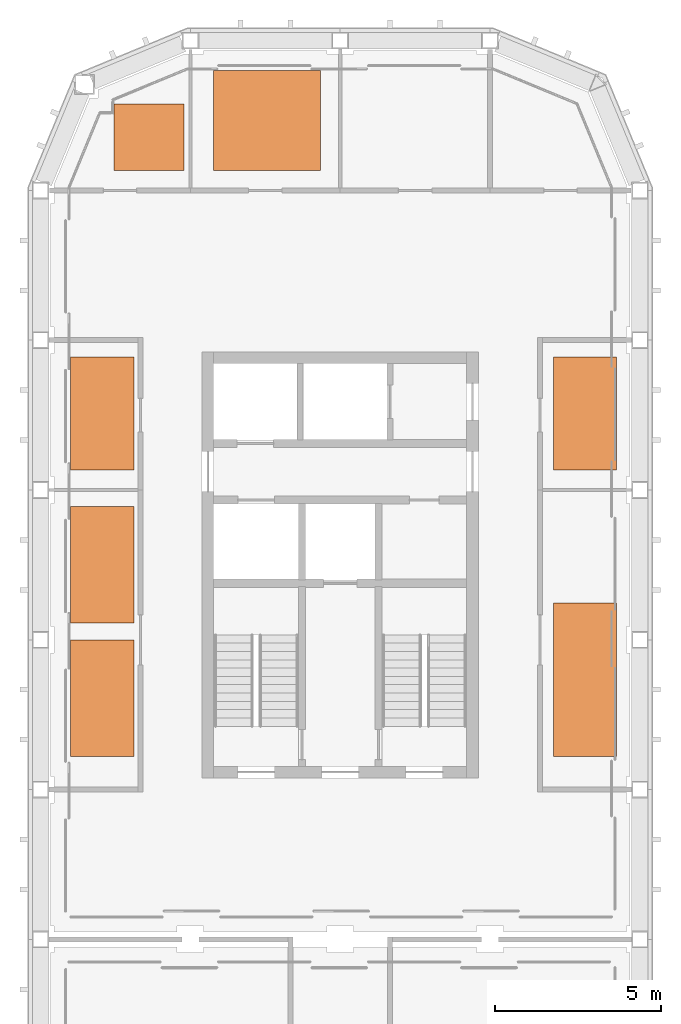
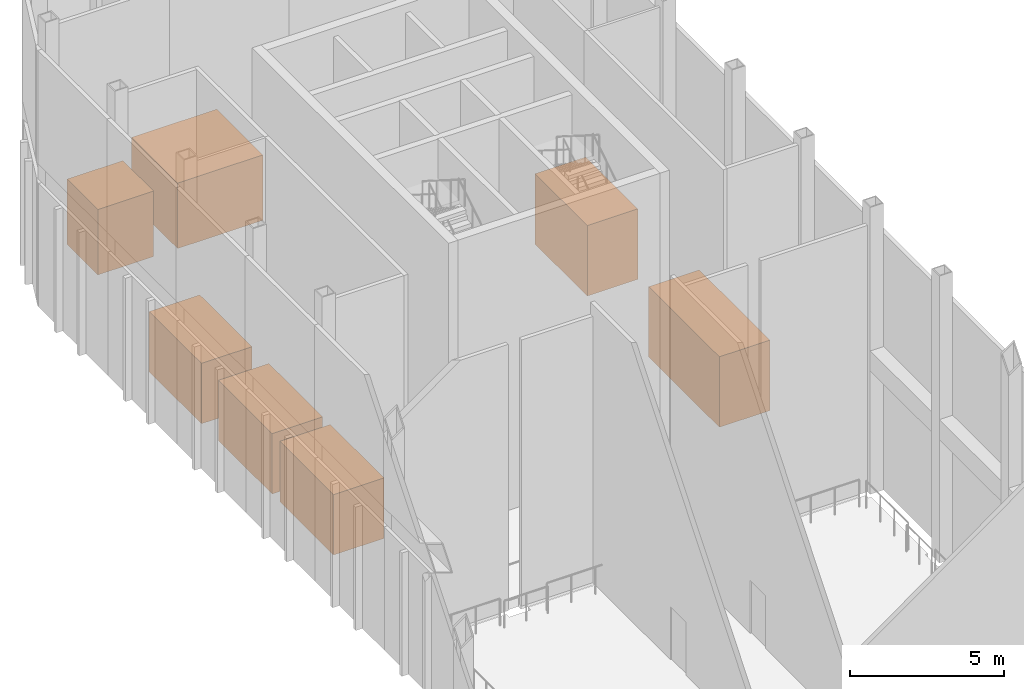
# One storey, part 8 of 8: 7 proxies.
"""IFC4 building model written with IfcOpenShell, lengths in metres."""

from ifc_helpers import new_model, si_unit, direction, frame, origin, origin_2d, place, context, subcontext, project, spatial, rectangle, extrude, material, type_object, element, save


model = new_model("IFC4")

# Units and contexts
model_context = context("Model", 3, precision=1e-05, world=origin(), true_north=direction((0.0, 1.0)))
body_context = subcontext(model_context, "Body", "Model", "MODEL_VIEW")
ifc_project = project(units=[si_unit("LENGTHUNIT", "METRE"), si_unit("AREAUNIT", "SQUARE_METRE"), si_unit("VOLUMEUNIT", "CUBIC_METRE"), si_unit("PLANEANGLEUNIT", "RADIAN"), si_unit("MASSUNIT", "GRAM", prefix="KILO")], contexts=[model_context])

# Site, building, storey
site_placement = place(None, origin())
site = spatial("IfcSite", under=ifc_project, at=site_placement, CompositionType="ELEMENT")
building_placement = place(site_placement, origin())
building = spatial("IfcBuilding", under=site, at=building_placement, Name="Girih Gate Residences", CompositionType="ELEMENT")
storey_placement = place(building_placement, frame((0.0, 0.0, 235.695068359375)))
storey = spatial("IfcBuildingStorey", under=building, at=storey_placement, Name="L66", CompositionType="ELEMENT", Elevation=235.695068359375)

# Proxies
ifc_material = material(Name="Painted steel plant casing", Category="steel")
building_element_proxy_type_1 = type_object("IfcBuildingElementProxyType", Name="Air handling unit 1900x3400x2400", PredefinedType="USERDEFINED", material=ifc_material)
proxy_1_placement = place(storey_placement, frame((1.85009765625, 38.300048828125, 0.0), z_axis=(0.0, 0.0, 1.0), x_axis=(1.0, 0.0, 0.0)))
element("IfcBuildingElementProxy", 1, at=proxy_1_placement, inside=storey, type_object=building_element_proxy_type_1, Name="Air handling unit AH3", ObjectType="AIR HANDLING UNIT", PredefinedType="USERDEFINED", context=body_context, shape_type="SweptSolid", body=[
    extrude(rectangle(XDim=1.89990234375, YDim=3.39990234375, at=origin_2d()), origin(), (0.0, 0.0, 1.0), 2.39990234375),
])
building_element_proxy_type_2 = type_object("IfcBuildingElementProxyType", Name="Air handling unit 1900x3500x2400", PredefinedType="USERDEFINED", material=ifc_material)
for number, where, z_axis, x_axis, name in (
    (2, (1.85009765625, 29.75, 0.0), (0.0, 0.0, 1.0), (1.0, 0.0, 0.0), "Air handling unit AH1"),
    (3, (1.85009765625, 33.75, 0.0), (0.0, 0.0, 1.0), (1.0, 0.0, 0.0), "Air handling unit AH2"),
):
    element("IfcBuildingElementProxy", number, at=place(storey_placement, frame(where, z_axis=z_axis, x_axis=x_axis)), inside=storey, type_object=building_element_proxy_type_2, Name=name, ObjectType="AIR HANDLING UNIT", PredefinedType="USERDEFINED", context=body_context, shape_type="SweptSolid", body=[
        extrude(rectangle(XDim=1.89990234375, YDim=3.5, at=origin_2d()), origin(), (0.0, 0.0, 1.0), 2.39990234375),
    ])
building_element_proxy_type_3 = type_object("IfcBuildingElementProxyType", Name="Chiller 2100x2000x2600", PredefinedType="USERDEFINED", material=ifc_material)
proxy_2_placement = place(storey_placement, frame((3.25, 46.60009765625, 0.0), z_axis=(0.0, 0.0, 1.0), x_axis=(1.0, 0.0, 0.0)))
element("IfcBuildingElementProxy", 4, at=proxy_2_placement, inside=storey, type_object=building_element_proxy_type_3, Name="Chiller CH1", ObjectType="CHILLER", PredefinedType="USERDEFINED", context=body_context, shape_type="SweptSolid", body=[
    extrude(rectangle(XDim=2.10009765625, YDim=2.0, at=origin_2d()), origin(), (0.0, 0.0, 1.0), 2.60009765625),
])
building_element_proxy_type_4 = type_object("IfcBuildingElementProxyType", Name="Chiller 3200x3000x2600", PredefinedType="USERDEFINED", material=ifc_material)
proxy_3_placement = place(storey_placement, frame((6.800048828125, 47.10009765625, 0.0), z_axis=(0.0, 0.0, 1.0), x_axis=(1.0, 0.0, 0.0)))
element("IfcBuildingElementProxy", 5, at=proxy_3_placement, inside=storey, type_object=building_element_proxy_type_4, Name="Chiller CH2", ObjectType="CHILLER", PredefinedType="USERDEFINED", context=body_context, shape_type="SweptSolid", body=[
    extrude(rectangle(XDim=3.199951171875, YDim=3.0, at=origin_2d()), origin(), (0.0, 0.0, 1.0), 2.60009765625),
])
building_element_proxy_type_5 = type_object("IfcBuildingElementProxyType", Name="Water tank 1900x3400x2800", PredefinedType="USERDEFINED", material=ifc_material)
proxy_4_placement = place(storey_placement, frame((16.35009765625, 38.300048828125, 0.0), z_axis=(0.0, 0.0, 1.0), x_axis=(1.0, 0.0, 0.0)))
element("IfcBuildingElementProxy", 6, at=proxy_4_placement, inside=storey, type_object=building_element_proxy_type_5, Name="Water tank TK2", ObjectType="WATER TANK", PredefinedType="USERDEFINED", context=body_context, shape_type="SweptSolid", body=[
    extrude(rectangle(XDim=1.89990234375, YDim=3.39990234375, at=origin_2d()), origin(), (0.0, 0.0, 1.0), 2.800048828125),
])
building_element_proxy_type_6 = type_object("IfcBuildingElementProxyType", Name="Water tank 1900x4600x2800", PredefinedType="USERDEFINED", material=ifc_material)
proxy_5_placement = place(storey_placement, frame((16.35009765625, 30.300048828125, 0.0), z_axis=(0.0, 0.0, 1.0), x_axis=(1.0, 0.0, 0.0)))
element("IfcBuildingElementProxy", 7, at=proxy_5_placement, inside=storey, type_object=building_element_proxy_type_6, Name="Water tank TK1", ObjectType="WATER TANK", PredefinedType="USERDEFINED", context=body_context, shape_type="SweptSolid", body=[
    extrude(rectangle(XDim=1.89990234375, YDim=4.60009765625, at=origin_2d()), origin(), (0.0, 0.0, 1.0), 2.800048828125),
])

save(model, "model.ifc")
